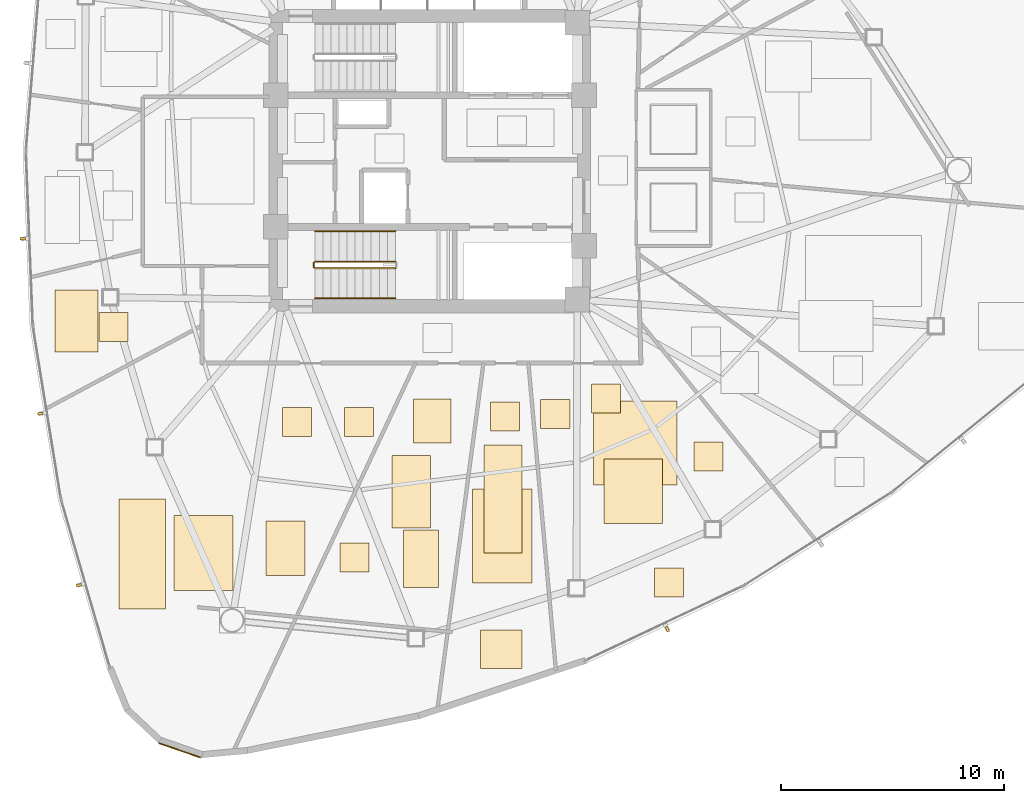
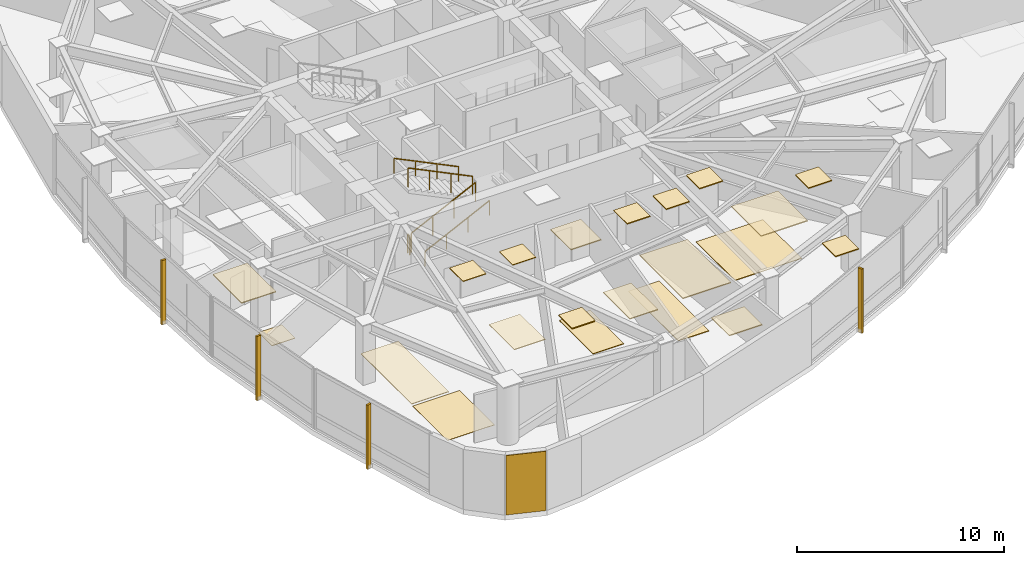
# One storey, part 14 of 17: 22 coverings, 5 railings, 4 shading devices.
"""IFC4 building model written with IfcOpenShell, lengths in metres."""

from ifc_helpers import new_model, si_unit, direction, frame, origin, origin_2d, place, context, subcontext, project, spatial, polyline, rectangle, outline, extrude, source, transform, mapped, material, layer, layer_set, type_object, type_shapes, element, save


model = new_model("IFC4")

# Units and contexts
model_context = context("Model", 3, precision=1e-05, world=origin(), true_north=direction((0.0, 1.0)))
body_context = subcontext(model_context, "Body", "Model", "MODEL_VIEW")
ifc_project = project(units=[si_unit("LENGTHUNIT", "METRE"), si_unit("AREAUNIT", "SQUARE_METRE"), si_unit("VOLUMEUNIT", "CUBIC_METRE"), si_unit("PLANEANGLEUNIT", "RADIAN"), si_unit("MASSUNIT", "GRAM", prefix="KILO")], contexts=[model_context])

# Site, building, storey
site_placement = place(None, origin())
site = spatial("IfcSite", under=ifc_project, at=site_placement, CompositionType="ELEMENT")
building_placement = place(site_placement, origin())
building = spatial("IfcBuilding", under=site, at=building_placement, Name="Tavelor Broadcast Tower", CompositionType="ELEMENT")
storey_placement = place(building_placement, frame((0.0, 0.0, 154.10009765625)))
storey = spatial("IfcBuildingStorey", under=building, at=storey_placement, Name="L36", CompositionType="ELEMENT", Elevation=154.10009765625)

# Covering
ifc_material_1 = material(Name="Copper-Bronze Anodized Aluminium", Category="aluminium")
ifc_layer_1 = layer(ifc_material_1, 0.050048828125)
ifc_layer_set_1 = layer_set([ifc_layer_1], Name="Copper-Bronze Anodized Aluminium")
covering_type_1 = type_object("IfcCoveringType", Name="Champagne-Bronze Corner Pier Metal Cladding 50 mm", PredefinedType="CLADDING", material=ifc_layer_set_1)
covering_1_placement = place(storey_placement, frame((38.794921875, 18.603271484375, 0.02001953125), z_axis=(0.0, 0.0, 1.0), x_axis=(0.945234103797, -0.326393150999, 0.0)))
element("IfcCovering", 1, at=covering_1_placement, inside=storey, type_object=covering_type_1, Name="L36 Champagne-Bronze Corner Cladding 13", PredefinedType="CLADDING", context=body_context, shape_type="SweptSolid", body=[
    extrude(rectangle(XDim=1.96728515625, YDim=0.050048828125, at=origin_2d()), origin(), (0.0, 0.0, 1.0), 3.510009765625),
])

# Railings
ifc_material_2 = material(Name="Steel S355", Category="steel")
railing_type_1 = type_object("IfcRailingType", Name="Continuous Brushed Stainless Handrail 900 mm", PredefinedType="HANDRAIL", material=ifc_material_2)
railing_1_placement = place(storey_placement, frame((44.85009765625, 38.85009765625, 0.1748046875)))
element("IfcRailing", 2, at=railing_1_placement, inside=storey, type_object=railing_type_1, Name="L36 ST2 stair handrail 1", PredefinedType="HANDRAIL", context=body_context, shape_type="SweptSolid", body=[
    extrude(rectangle(XDim=0.048095703125, YDim=0.048095703125, at=origin_2d()), frame((0.0, 0.0, 0.8759765625), z_axis=(0.899360859046, 0.0, 0.437207096483), x_axis=(0.0, 1.0, 0.0)), (0.0, 0.0, 1.0), 4.002685546875),
    extrude(rectangle(XDim=0.0419921875, YDim=0.0419921875, at=origin_2d()), origin(), (0.0, 0.0, 1.0), 0.851806640625),
    extrude(rectangle(XDim=0.0419921875, YDim=0.0419921875, at=origin_2d()), frame((1.199951171875, 0.0, 0.583251953125)), (0.0, 0.0, 1.0), 0.851806640625),
    extrude(rectangle(XDim=0.0419921875, YDim=0.0419921875, at=origin_2d()), frame((2.39990234375, 0.0, 1.166748046875)), (0.0, 0.0, 1.0), 0.851806640625),
    extrude(rectangle(XDim=0.0419921875, YDim=0.0419921875, at=origin_2d()), frame((3.599853515625, 0.0, 1.75)), (0.0, 0.0, 1.0), 0.851806640625),
])
railing_2_placement = place(storey_placement, frame((48.449951171875, 41.85009765625, 2.099853515625)))
element("IfcRailing", 3, at=railing_2_placement, inside=storey, type_object=railing_type_1, Name="L36 ST2 stair handrail 2", PredefinedType="HANDRAIL", context=body_context, shape_type="SweptSolid", body=[
    extrude(rectangle(XDim=0.048095703125, YDim=0.048095703125, at=origin_2d()), frame((0.0, 0.0, 0.8759765625), z_axis=(-0.899360859046, 0.0, 0.437207096483), x_axis=(0.0, -1.0, 0.0)), (0.0, 0.0, 1.0), 4.002685546875),
    extrude(rectangle(XDim=0.0419921875, YDim=0.0419921875, at=origin_2d()), origin(), (0.0, 0.0, 1.0), 0.851806640625),
    extrude(rectangle(XDim=0.0419921875, YDim=0.0419921875, at=origin_2d()), frame((-1.199951171875, 0.0, 0.583251953125)), (0.0, 0.0, 1.0), 0.851806640625),
    extrude(rectangle(XDim=0.0419921875, YDim=0.0419921875, at=origin_2d()), frame((-2.39990234375, 0.0, 1.166748046875)), (0.0, 0.0, 1.0), 0.851806640625),
    extrude(rectangle(XDim=0.0419921875, YDim=0.0419921875, at=origin_2d()), frame((-3.599853515625, 0.0, 1.75)), (0.0, 0.0, 1.0), 0.851806640625),
])

# Coverings
ifc_material_3 = material(Name="Acoustic Nylon Carpet Tile")
ifc_layer_2 = layer(ifc_material_3, 0.02001953125)
ifc_layer_set_2 = layer_set([ifc_layer_2], Name="Acoustic Nylon Carpet Tile")
covering_type_2 = type_object("IfcCoveringType", Name="Heavy-Duty Acoustic Broadcast Carpet Tile 20 mm", PredefinedType="FLOORING", material=ifc_layer_set_2)
covering_2_placement = place(storey_placement, origin())
element("IfcCovering", 4, at=covering_2_placement, inside=storey, type_object=covering_type_2, Name="L36 Broadcast Floor Finish 0525", PredefinedType="FLOORING", context=body_context, shape_type="SweptSolid", body=[
    extrude(outline(polyline([(38.545654296875, 25.772705078125), (41.174560546875, 25.772705078125), (41.174560546875, 29.132080078125), (38.545654296875, 29.132080078125), (38.545654296875, 25.772705078125)])), origin(), (0.0, 0.0, 1.0), 0.02001953125),
])
ifc_material_4 = material(Name="Acoustic Hardwood Studio Flooring", Category="wood")
ifc_layer_3 = layer(ifc_material_4, 0.034912109375)
ifc_layer_set_3 = layer_set([ifc_layer_3], Name="Acoustic Hardwood Studio Flooring")
covering_type_3 = type_object("IfcCoveringType", Name="Isolated Studio Acoustic Elastomeric Floor Finish 35 mm", PredefinedType="FLOORING", material=ifc_layer_set_3)
covering_3_placement = place(storey_placement, origin())
element("IfcCovering", 5, at=covering_3_placement, inside=storey, type_object=covering_type_3, Name="L36 Broadcast Floor Finish 0522", PredefinedType="FLOORING", context=body_context, shape_type="SweptSolid", body=[
    extrude(outline(polyline([(57.33740234375, 30.497802734375), (61.073486328125, 30.497802734375), (61.073486328125, 34.26025390625), (57.33740234375, 34.26025390625), (57.33740234375, 30.497802734375)])), origin(), (0.0, 0.0, 1.0), 0.034912109375),
])
covering_4_placement = place(storey_placement, origin())
element("IfcCovering", 6, at=covering_4_placement, inside=storey, type_object=covering_type_3, Name="L36 Broadcast Floor Finish 0523", PredefinedType="FLOORING", context=body_context, shape_type="SweptSolid", body=[
    extrude(outline(polyline([(52.4169921875, 27.44921875), (54.126708984375, 27.44921875), (54.126708984375, 32.284423828125), (52.4169921875, 32.284423828125), (52.4169921875, 27.44921875)])), origin(), (0.0, 0.0, 1.0), 0.034912109375),
])
covering_5_placement = place(storey_placement, origin())
element("IfcCovering", 7, at=covering_5_placement, inside=storey, type_object=covering_type_3, Name="L36 Broadcast Floor Finish 0524", PredefinedType="FLOORING", context=body_context, shape_type="SweptSolid", body=[
    extrude(outline(polyline([(48.293701171875, 28.565185546875), (50.01953125, 28.565185546875), (50.01953125, 31.822509765625), (48.293701171875, 31.822509765625), (48.293701171875, 28.565185546875)])), origin(), (0.0, 0.0, 1.0), 0.034912109375),
])
covering_6_placement = place(storey_placement, origin())
element("IfcCovering", 8, at=covering_6_placement, inside=storey, type_object=covering_type_3, Name="L36 Broadcast Floor Finish 0526", PredefinedType="FLOORING", context=body_context, shape_type="SweptSolid", body=[
    extrude(outline(polyline([(35.17431640625, 36.924560546875), (36.474365234375, 36.924560546875), (36.474365234375, 38.224609375), (35.17431640625, 38.224609375), (35.17431640625, 36.924560546875)])), origin(), (0.0, 0.0, 1.0), 0.034912109375),
])
ifc_material_5 = material(Name="Acoustic Perforated Timber Baffle", Category="wood")
ifc_layer_4 = layer(ifc_material_5, 0.054931640625)
ifc_layer_set_4 = layer_set([ifc_layer_4], Name="Acoustic Perforated Timber Baffle")
covering_type_4 = type_object("IfcCoveringType", Name="Micro-Perforated Acoustic Baffle Studio Ceiling 55 mm", PredefinedType="CEILING", material=ifc_layer_set_4)
covering_7_placement = place(storey_placement, frame((0.0, 0.0, 3.494873046875)))
element("IfcCovering", 9, at=covering_7_placement, inside=storey, type_object=covering_type_4, Name="L36 Suspended Acoustic Ceiling 1480", PredefinedType="CEILING", context=body_context, shape_type="SweptSolid", body=[
    extrude(outline(polyline([(61.821044921875, 31.12109375), (63.12109375, 31.12109375), (63.12109375, 32.421142578125), (61.821044921875, 32.421142578125), (61.821044921875, 31.12109375)])), origin(), (0.0, 0.0, 1.0), 0.054931640625),
])
covering_8_placement = place(storey_placement, frame((0.0, 0.0, 3.494873046875)))
element("IfcCovering", 10, at=covering_8_placement, inside=storey, type_object=covering_type_4, Name="L36 Suspended Acoustic Ceiling 1481", PredefinedType="CEILING", context=body_context, shape_type="SweptSolid", body=[
    extrude(outline(polyline([(60.05615234375, 25.4736328125), (61.356201171875, 25.4736328125), (61.356201171875, 26.773681640625), (60.05615234375, 26.773681640625), (60.05615234375, 25.4736328125)])), origin(), (0.0, 0.0, 1.0), 0.054931640625),
])
covering_9_placement = place(storey_placement, frame((0.0, 0.0, 3.494873046875)))
element("IfcCovering", 11, at=covering_9_placement, inside=storey, type_object=covering_type_4, Name="L36 Suspended Acoustic Ceiling 1482", PredefinedType="CEILING", context=body_context, shape_type="SweptSolid", body=[
    extrude(outline(polyline([(54.96337890625, 33.01953125), (56.263427734375, 33.01953125), (56.263427734375, 34.319580078125), (54.96337890625, 34.319580078125), (54.96337890625, 33.01953125)])), origin(), (0.0, 0.0, 1.0), 0.054931640625),
])
covering_10_placement = place(storey_placement, frame((0.0, 0.0, 3.494873046875)))
element("IfcCovering", 12, at=covering_10_placement, inside=storey, type_object=covering_type_4, Name="L36 Suspended Acoustic Ceiling 1483", PredefinedType="CEILING", context=body_context, shape_type="SweptSolid", body=[
    extrude(outline(polyline([(57.23193359375, 33.720703125), (58.531982421875, 33.720703125), (58.531982421875, 35.0205078125), (57.23193359375, 35.0205078125), (57.23193359375, 33.720703125)])), origin(), (0.0, 0.0, 1.0), 0.054931640625),
])
covering_11_placement = place(storey_placement, frame((0.0, 0.0, 3.494873046875)))
element("IfcCovering", 13, at=covering_11_placement, inside=storey, type_object=covering_type_4, Name="L36 Suspended Acoustic Ceiling 1484", PredefinedType="CEILING", context=body_context, shape_type="SweptSolid", body=[
    extrude(outline(polyline([(57.797607421875, 28.764892578125), (60.40673828125, 28.764892578125), (60.40673828125, 31.652099609375), (57.797607421875, 31.652099609375), (57.797607421875, 28.764892578125)])), origin(), (0.0, 0.0, 1.0), 0.054931640625),
])
covering_12_placement = place(storey_placement, frame((0.0, 0.0, 3.494873046875)))
element("IfcCovering", 14, at=covering_12_placement, inside=storey, type_object=covering_type_4, Name="L36 Suspended Acoustic Ceiling 1485", PredefinedType="CEILING", context=body_context, shape_type="SweptSolid", body=[
    extrude(outline(polyline([(52.701904296875, 32.90478515625), (54.001708984375, 32.90478515625), (54.001708984375, 34.20458984375), (52.701904296875, 34.20458984375), (52.701904296875, 32.90478515625)])), origin(), (0.0, 0.0, 1.0), 0.054931640625),
])
covering_13_placement = place(storey_placement, frame((0.0, 0.0, 3.494873046875)))
element("IfcCovering", 15, at=covering_13_placement, inside=storey, type_object=covering_type_4, Name="L36 Suspended Acoustic Ceiling 1486", PredefinedType="CEILING", context=body_context, shape_type="SweptSolid", body=[
    extrude(outline(polyline([(51.896240234375, 26.1083984375), (54.57470703125, 26.1083984375), (54.57470703125, 30.302001953125), (51.896240234375, 30.302001953125), (51.896240234375, 26.1083984375)])), origin(), (0.0, 0.0, 1.0), 0.054931640625),
])
covering_14_placement = place(storey_placement, frame((0.0, 0.0, 3.494873046875)))
element("IfcCovering", 16, at=covering_14_placement, inside=storey, type_object=covering_type_4, Name="L36 Suspended Acoustic Ceiling 1487", PredefinedType="CEILING", context=body_context, shape_type="SweptSolid", body=[
    extrude(outline(polyline([(52.271240234375, 22.2685546875), (54.11767578125, 22.2685546875), (54.11767578125, 24.006103515625), (52.271240234375, 24.006103515625), (52.271240234375, 22.2685546875)])), origin(), (0.0, 0.0, 1.0), 0.054931640625),
])
covering_15_placement = place(storey_placement, frame((0.0, 0.0, 3.494873046875)))
element("IfcCovering", 17, at=covering_15_placement, inside=storey, type_object=covering_type_4, Name="L36 Suspended Acoustic Ceiling 1488", PredefinedType="CEILING", context=body_context, shape_type="SweptSolid", body=[
    extrude(outline(polyline([(49.257568359375, 32.372314453125), (50.95361328125, 32.372314453125), (50.95361328125, 34.342529296875), (49.257568359375, 34.342529296875), (49.257568359375, 32.372314453125)])), origin(), (0.0, 0.0, 1.0), 0.054931640625),
])
covering_16_placement = place(storey_placement, frame((0.0, 0.0, 3.494873046875)))
element("IfcCovering", 18, at=covering_16_placement, inside=storey, type_object=covering_type_4, Name="L36 Suspended Acoustic Ceiling 1489", PredefinedType="CEILING", context=body_context, shape_type="SweptSolid", body=[
    extrude(outline(polyline([(48.8056640625, 25.896728515625), (50.37646484375, 25.896728515625), (50.37646484375, 28.47412109375), (48.8056640625, 28.47412109375), (48.8056640625, 25.896728515625)])), origin(), (0.0, 0.0, 1.0), 0.054931640625),
])
covering_17_placement = place(storey_placement, frame((0.0, 0.0, 3.494873046875)))
element("IfcCovering", 19, at=covering_17_placement, inside=storey, type_object=covering_type_4, Name="L36 Suspended Acoustic Ceiling 1490", PredefinedType="CEILING", context=body_context, shape_type="SweptSolid", body=[
    extrude(outline(polyline([(45.97265625, 26.587890625), (47.272705078125, 26.587890625), (47.272705078125, 27.887939453125), (45.97265625, 27.887939453125), (45.97265625, 26.587890625)])), origin(), (0.0, 0.0, 1.0), 0.054931640625),
])
covering_18_placement = place(storey_placement, frame((0.0, 0.0, 3.494873046875)))
element("IfcCovering", 20, at=covering_18_placement, inside=storey, type_object=covering_type_4, Name="L36 Suspended Acoustic Ceiling 1495", PredefinedType="CEILING", context=body_context, shape_type="SweptSolid", body=[
    extrude(outline(polyline([(33.20556640625, 36.445556640625), (35.12451171875, 36.445556640625), (35.12451171875, 39.21728515625), (33.20556640625, 39.21728515625), (33.20556640625, 36.445556640625)])), origin(), (0.0, 0.0, 1.0), 0.054931640625),
])

# Railings
railing_type_2 = type_object("IfcRailingType", Name="Stairwell Steel Safety Guardrail 1150 mm", PredefinedType="GUARDRAIL", material=ifc_material_2)
railing_3_placement = place(storey_placement, frame((44.85009765625, 40.199951171875, 0.1748046875)))
element("IfcRailing", 21, at=railing_3_placement, inside=storey, type_object=railing_type_2, Name="L36 ST2 stair guard 1", PredefinedType="GUARDRAIL", context=body_context, shape_type="SweptSolid", body=[
    extrude(rectangle(XDim=0.048095703125, YDim=0.048095703125, at=origin_2d()), frame((0.0, 0.0, 1.1259765625), z_axis=(0.899360859046, 0.0, 0.437207096483), x_axis=(0.0, 1.0, 0.0)), (0.0, 0.0, 1.0), 4.002685546875),
    extrude(rectangle(XDim=0.0419921875, YDim=0.0419921875, at=origin_2d()), origin(), (0.0, 0.0, 1.0), 1.101806640625),
    extrude(rectangle(XDim=0.0419921875, YDim=0.0419921875, at=origin_2d()), frame((1.199951171875, 0.0, 0.583251953125)), (0.0, 0.0, 1.0), 1.101806640625),
    extrude(rectangle(XDim=0.0419921875, YDim=0.0419921875, at=origin_2d()), frame((2.39990234375, 0.0, 1.166748046875)), (0.0, 0.0, 1.0), 1.101806640625),
    extrude(rectangle(XDim=0.0419921875, YDim=0.0419921875, at=origin_2d()), frame((3.599853515625, 0.0, 1.75)), (0.0, 0.0, 1.0), 1.101806640625),
])
railing_4_placement = place(storey_placement, frame((48.449951171875, 40.5, 2.099853515625)))
element("IfcRailing", 22, at=railing_4_placement, inside=storey, type_object=railing_type_2, Name="L36 ST2 stair guard 3", PredefinedType="GUARDRAIL", context=body_context, shape_type="SweptSolid", body=[
    extrude(rectangle(XDim=0.048095703125, YDim=0.048095703125, at=origin_2d()), frame((0.0, 0.0, 1.1259765625), z_axis=(-0.899360859046, 0.0, 0.437207096483), x_axis=(0.0, -1.0, 0.0)), (0.0, 0.0, 1.0), 4.002685546875),
    extrude(rectangle(XDim=0.0419921875, YDim=0.0419921875, at=origin_2d()), origin(), (0.0, 0.0, 1.0), 1.101806640625),
    extrude(rectangle(XDim=0.0419921875, YDim=0.0419921875, at=origin_2d()), frame((-1.199951171875, 0.0, 0.583251953125)), (0.0, 0.0, 1.0), 1.101806640625),
    extrude(rectangle(XDim=0.0419921875, YDim=0.0419921875, at=origin_2d()), frame((-2.39990234375, 0.0, 1.166748046875)), (0.0, 0.0, 1.0), 1.101806640625),
    extrude(rectangle(XDim=0.0419921875, YDim=0.0419921875, at=origin_2d()), frame((-3.599853515625, 0.0, 1.75)), (0.0, 0.0, 1.0), 1.101806640625),
])
railing_5_placement = place(storey_placement, frame((44.800048828125, 40.25, 0.0)))
element("IfcRailing", 23, at=railing_5_placement, inside=storey, type_object=railing_type_2, Name="L36 ST2 stair guard 4", PredefinedType="GUARDRAIL", context=body_context, shape_type="SweptSolid", body=[
    extrude(rectangle(XDim=0.048095703125, YDim=0.048095703125, at=origin_2d()), frame((0.0, 0.0, 1.1259765625), z_axis=(0.0, 1.0, 0.0), x_axis=(-1.0, 0.0, 0.0)), (0.0, 0.0, 1.0), 0.199951171875),
    extrude(rectangle(XDim=0.0419921875, YDim=0.0419921875, at=origin_2d()), origin(), (0.0, 0.0, 1.0), 1.101806640625),
    extrude(rectangle(XDim=0.0419921875, YDim=0.0419921875, at=origin_2d()), frame((0.0, 0.199951171875, 0.0)), (0.0, 0.0, 1.0), 1.101806640625),
])

# Coverings
ifc_material_6 = material(Name="Acoustic Mineral Fibre Tile")
ifc_layer_5 = layer(ifc_material_6, 0.0400390625)
ifc_layer_set_5 = layer_set([ifc_layer_5], Name="Acoustic Mineral Fibre Tile")
covering_type_5 = type_object("IfcCoveringType", Name="Suspended Acoustic Mineral-Fibre Office Ceiling 40 mm", PredefinedType="CEILING", material=ifc_layer_set_5)
covering_19_placement = place(storey_placement, frame((0.0, 0.0, 3.510009765625)))
element("IfcCovering", 24, at=covering_19_placement, inside=storey, type_object=covering_type_5, Name="L36 Suspended Acoustic Ceiling 1491", PredefinedType="CEILING", context=body_context, shape_type="SweptSolid", body=[
    extrude(outline(polyline([(36.066650390625, 24.944580078125), (38.14990234375, 24.944580078125), (38.14990234375, 29.854248046875), (36.066650390625, 29.854248046875), (36.066650390625, 24.944580078125)])), origin(), (0.0, 0.0, 1.0), 0.039794921875),
])
covering_20_placement = place(storey_placement, frame((0.0, 0.0, 3.510009765625)))
element("IfcCovering", 25, at=covering_20_placement, inside=storey, type_object=covering_type_5, Name="L36 Suspended Acoustic Ceiling 1492", PredefinedType="CEILING", context=body_context, shape_type="SweptSolid", body=[
    extrude(outline(polyline([(43.39013671875, 32.662353515625), (44.690185546875, 32.662353515625), (44.690185546875, 33.96240234375), (43.39013671875, 33.96240234375), (43.39013671875, 32.662353515625)])), origin(), (0.0, 0.0, 1.0), 0.039794921875),
])
covering_21_placement = place(storey_placement, frame((0.0, 0.0, 3.510009765625)))
element("IfcCovering", 26, at=covering_21_placement, inside=storey, type_object=covering_type_5, Name="L36 Suspended Acoustic Ceiling 1493", PredefinedType="CEILING", context=body_context, shape_type="SweptSolid", body=[
    extrude(outline(polyline([(46.167724609375, 32.65673828125), (47.4677734375, 32.65673828125), (47.4677734375, 33.956787109375), (46.167724609375, 33.956787109375), (46.167724609375, 32.65673828125)])), origin(), (0.0, 0.0, 1.0), 0.039794921875),
])
covering_22_placement = place(storey_placement, frame((0.0, 0.0, 3.510009765625)))
element("IfcCovering", 27, at=covering_22_placement, inside=storey, type_object=covering_type_5, Name="L36 Suspended Acoustic Ceiling 1494", PredefinedType="CEILING", context=body_context, shape_type="SweptSolid", body=[
    extrude(outline(polyline([(42.66357421875, 26.4345703125), (44.396484375, 26.4345703125), (44.396484375, 28.881591796875), (42.66357421875, 28.881591796875), (42.66357421875, 26.4345703125)])), origin(), (0.0, 0.0, 1.0), 0.039794921875),
])

# Shading devices
ifc_material_7 = material(Name="Kiln-Fired Glazed Terracotta", Category="masonry")
shading_device_type = type_object("IfcShadingDeviceType", Name="Extruded Terracotta Baguette Sun-Screen 110x240", PredefinedType="JALOUSIE", material=ifc_material_7)
shared_shape = source(origin(), body_context, "Body", "SweptSolid", [
    extrude(rectangle(XDim=0.110107421875, YDim=0.239990234375, at=origin_2d()), origin(), (0.0, 0.0, 1.0), 3.7900390625),
])
type_shapes(shading_device_type, [shared_shape])
for number, where, z_axis, x_axis, name in (
    (28, (31.7587890625, 41.52001953125, -0.260009765625), (0.0, 0.0, 1.0), (0.039783005453, -0.999208342878, 0.0), "L36 Terracotta Baguette Fin 362"),
    (29, (32.5478515625, 33.686279296875, -0.260009765625), (0.0, 0.0, 1.0), (0.160398029092, -0.987052416168, 0.0), "L36 Terracotta Baguette Fin 363"),
    (30, (34.27880859375, 26.005615234375, -0.260009765625), (0.0, 0.0, 1.0), (0.278655883317, -0.960391013438, 0.0), "L36 Terracotta Baguette Fin 364"),
    (31, (60.635009765625, 24.031982421875, -0.260009765625), (0.0, 0.0, 1.0), (0.903933318548, 0.427673421689, 0.0), "L36 Terracotta Baguette Fin 365"),
):
    element("IfcShadingDevice", number, at=place(storey_placement, frame(where, z_axis=z_axis, x_axis=x_axis)), inside=storey, type_object=shading_device_type, Name=name, PredefinedType="JALOUSIE", context=body_context, shape_type="MappedRepresentation", body=[
        mapped(shared_shape, transform((0.0, 0.0, 0.0), scale=1.0)),
    ])

save(model, "model.ifc")
